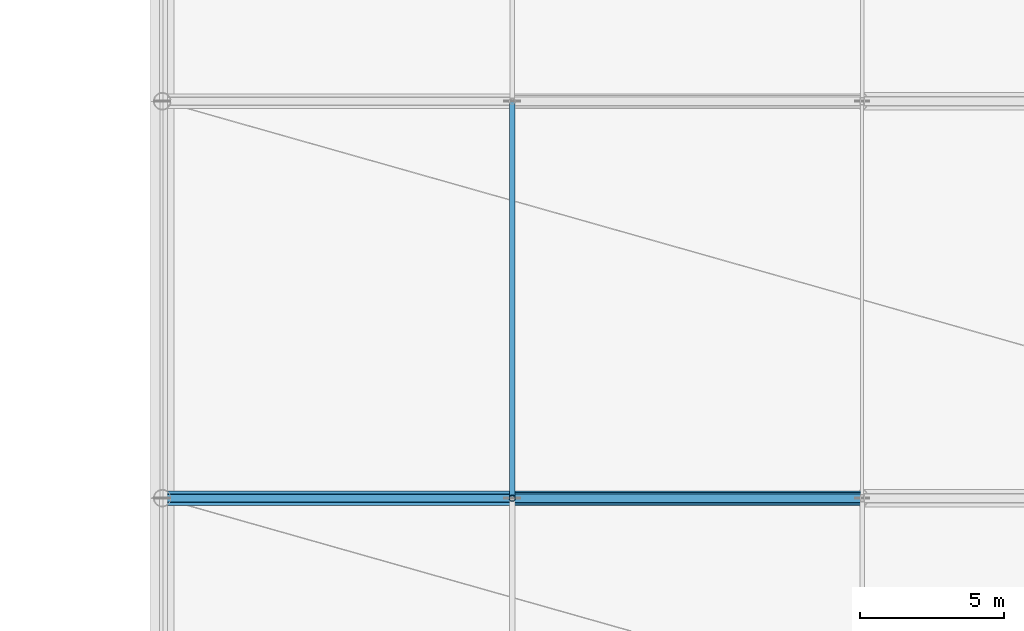
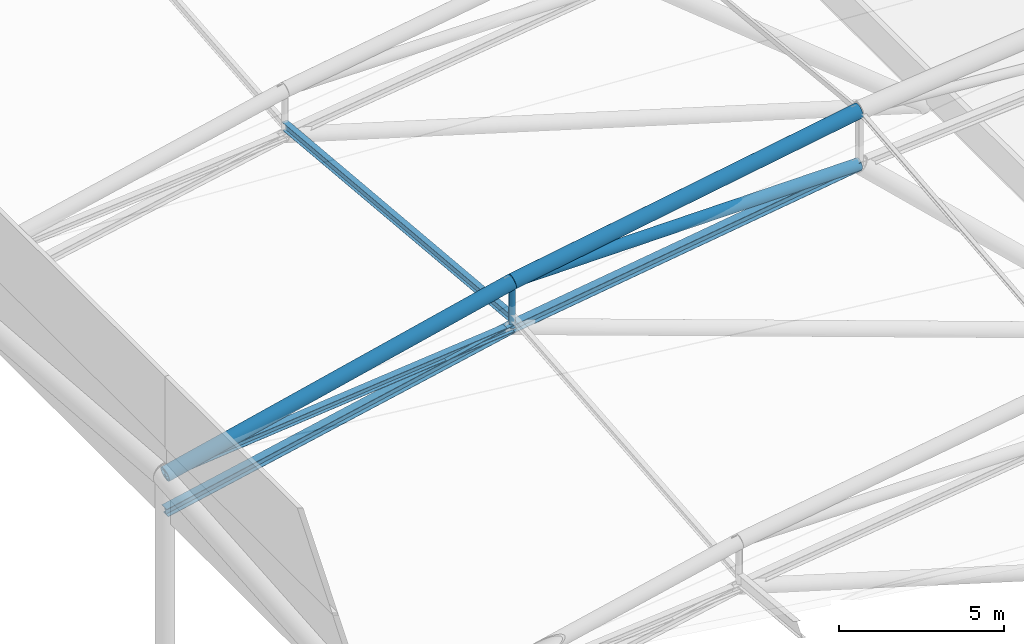
# One storey, part 41 of 113: 8 members.
"""IFC4 building model written with IfcOpenShell, lengths in metres."""

from ifc_helpers import new_model, si_unit, direction, frame, origin, origin_2d, place, context, subcontext, project, spatial, hollow_circle, i_section, extrude, material, material_profile, profile_set, type_object, element, save


model = new_model("IFC4")

# Units and contexts
model_context = context("Model", 3, precision=1e-05, world=origin(), true_north=direction((0.0, 1.0)))
body_context = subcontext(model_context, "Body", "Model", "MODEL_VIEW")
ifc_project = project(units=[si_unit("LENGTHUNIT", "METRE"), si_unit("AREAUNIT", "SQUARE_METRE"), si_unit("VOLUMEUNIT", "CUBIC_METRE"), si_unit("PLANEANGLEUNIT", "RADIAN"), si_unit("MASSUNIT", "GRAM", prefix="KILO")], contexts=[model_context])

# Site, building, storey
site_placement = place(None, origin())
site = spatial("IfcSite", under=ifc_project, at=site_placement, CompositionType="ELEMENT")
building_placement = place(site_placement, origin())
building = spatial("IfcBuilding", under=site, at=building_placement, Name="Linyun Crest Stadium", CompositionType="ELEMENT")
storey_placement = place(building_placement, frame((0.0, 0.0, 26.39990234375)))
storey = spatial("IfcBuildingStorey", under=building, at=storey_placement, Name="L06", CompositionType="ELEMENT", Elevation=26.39990234375)

# Members
ifc_material_1 = material(Name="Steel Q355B", Category="steel")
ifc_material_profile_1 = material_profile(ifc_material_1, i_section(OverallWidth=0.199951171875, OverallDepth=0.2939453125, WebThickness=0.008056640625, FlangeThickness=0.011962890625, at=origin_2d()), Name="HM 294x200")
ifc_profile_set_1 = profile_set([ifc_material_profile_1], Name="Steel Q355B")
member_type_1 = type_object("IfcMemberType", Name="PR06", PredefinedType="PURLIN", material=ifc_profile_set_1)
member_1_placement = place(storey_placement, frame((47.625, 2.125, 8.1201171875), z_axis=(0.0, 0.99587405243, -0.09074619384), x_axis=(-1.0, 0.0, 0.0)))
element("IfcMember", 1, at=member_1_placement, inside=storey, type_object=member_type_1, Name="Roof canopy purlin PR06 V2 350", PredefinedType="PURLIN", context=body_context, shape_type="SweptSolid", body=[
    extrude(i_section(OverallWidth=0.199951171875, OverallDepth=0.2939453125, WebThickness=0.008056640625, FlangeThickness=0.011962890625, at=origin_2d()), origin(), (0.0, 0.0, 1.0), 13.806884765625),
])
ifc_material_2 = material(Name="Steel Q420C", Category="steel")
ifc_material_profile_2 = material_profile(ifc_material_2, hollow_circle(Radius=0.25390625, WallThickness=0.02490234375, at=origin_2d()), Name="CHS 508x25")
ifc_profile_set_2 = profile_set([ifc_material_profile_2], Name="Steel Q420C")
member_type_2 = type_object("IfcMemberType", Name="TC01", PredefinedType="CHORD", material=ifc_profile_set_2)
member_2_placement = place(storey_placement, frame((59.75, 2.125, 11.502197265625), z_axis=(-0.985667924462, 0.0, -0.168697192291), x_axis=(0.0, -1.0, 0.0)))
element("IfcMember", 2, at=member_2_placement, inside=storey, type_object=member_type_2, Name="Roof truss top chord TC01 V2 266", PredefinedType="CHORD", context=body_context, shape_type="SweptSolid", body=[
    extrude(hollow_circle(Radius=0.25390625, WallThickness=0.02490234375, at=origin_2d()), origin(), (0.0, 0.0, 1.0), 12.30126953125),
])
member_3_placement = place(storey_placement, frame((47.625, 2.125, 9.427001953125), z_axis=(-0.973038645725, 0.0, -0.230642133889), x_axis=(0.0, -1.0, 0.0)))
element("IfcMember", 3, at=member_3_placement, inside=storey, type_object=member_type_2, Name="Roof truss top chord TC01 V2 270", PredefinedType="CHORD", context=body_context, shape_type="SweptSolid", body=[
    extrude(hollow_circle(Radius=0.25390625, WallThickness=0.02490234375, at=origin_2d()), origin(), (0.0, 0.0, 1.0), 12.4609375),
])
ifc_material_3 = material(Name="Steel Q355C", Category="steel")
ifc_material_profile_3 = material_profile(ifc_material_3, i_section(OverallWidth=0.300048828125, OverallDepth=0.300048828125, WebThickness=0.010009765625, FlangeThickness=0.014892578125, at=origin_2d()), Name="HW 300x300")
ifc_profile_set_3 = profile_set([ifc_material_profile_3], Name="Steel Q355C")
member_type_3 = type_object("IfcMemberType", Name="TC03", PredefinedType="CHORD", material=ifc_profile_set_3)
member_4_placement = place(storey_placement, frame((59.75, 2.125, 9.526123046875), z_axis=(-0.989594539625, 0.0, -0.143884144866), x_axis=(0.0, -1.0, 0.0)))
element("IfcMember", 4, at=member_4_placement, inside=storey, type_object=member_type_3, Name="Roof truss bottom chord TC03 V2 267", PredefinedType="CHORD", context=body_context, shape_type="SweptSolid", body=[
    extrude(i_section(OverallWidth=0.300048828125, OverallDepth=0.300048828125, WebThickness=0.010009765625, FlangeThickness=0.014892578125, at=origin_2d()), origin(), (0.0, 0.0, 1.0), 12.25244140625),
])
member_5_placement = place(storey_placement, frame((47.625, 2.125, 7.76318359375), z_axis=(-0.978396930503, 0.0, -0.206735208374), x_axis=(0.0, -1.0, 0.0)))
element("IfcMember", 5, at=member_5_placement, inside=storey, type_object=member_type_3, Name="Roof truss bottom chord TC03 V2 271", PredefinedType="CHORD", context=body_context, shape_type="SweptSolid", body=[
    extrude(i_section(OverallWidth=0.300048828125, OverallDepth=0.300048828125, WebThickness=0.010009765625, FlangeThickness=0.014892578125, at=origin_2d()), origin(), (0.0, 0.0, 1.0), 12.392822265625),
])
ifc_material_4 = material(Name="Steel Q420C", Category="steel")
ifc_material_profile_4 = material_profile(ifc_material_4, hollow_circle(Radius=0.202880859375, WallThickness=0.02001953125, at=origin_2d()), Name="CHS 406x20")
ifc_profile_set_4 = profile_set([ifc_material_profile_4], Name="Steel Q420C")
member_type_4 = type_object("IfcMemberType", Name="TD03", PredefinedType="BRACE", material=ifc_profile_set_4)
member_6_placement = place(storey_placement, frame((59.75, 2.125, 9.526123046875), z_axis=(-0.999966586889, 0.0, -0.008174662417), x_axis=(0.0, -1.0, 0.0)))
element("IfcMember", 6, at=member_6_placement, inside=storey, type_object=member_type_4, Name="Roof truss diagonal TD03 V2 268", PredefinedType="BRACE", context=body_context, shape_type="SweptSolid", body=[
    extrude(hollow_circle(Radius=0.202880859375, WallThickness=0.02001953125, at=origin_2d()), origin(), (0.0, 0.0, 1.0), 12.12548828125),
])
ifc_material_5 = material(Name="Steel Q355C", Category="steel")
ifc_material_profile_5 = material_profile(ifc_material_5, i_section(OverallWidth=0.25, OverallDepth=0.25, WebThickness=0.009033203125, FlangeThickness=0.013916015625, at=origin_2d()), Name="HW 250x250")
ifc_profile_set_5 = profile_set([ifc_material_profile_5], Name="Steel Q355C")
member_type_5 = type_object("IfcMemberType", Name="TD04", PredefinedType="BRACE", material=ifc_profile_set_5)
member_7_placement = place(storey_placement, frame((47.625, 2.125, 7.76318359375), z_axis=(-0.995055819877, 0.0, -0.099317245875), x_axis=(0.0, -1.0, 0.0)))
element("IfcMember", 7, at=member_7_placement, inside=storey, type_object=member_type_5, Name="Roof truss diagonal TD04 V2 272", PredefinedType="BRACE", context=body_context, shape_type="SweptSolid", body=[
    extrude(i_section(OverallWidth=0.25, OverallDepth=0.25, WebThickness=0.009033203125, FlangeThickness=0.013916015625, at=origin_2d()), origin(), (0.0, 0.0, 1.0), 12.185302734375),
])
ifc_material_6 = material(Name="Steel Q355C", Category="steel")
ifc_material_profile_6 = material_profile(ifc_material_6, hollow_circle(Radius=0.109619140625, WallThickness=0.011962890625, at=origin_2d()), Name="CHS 219x12")
ifc_profile_set_6 = profile_set([ifc_material_profile_6], Name="Steel Q355C")
member_type_6 = type_object("IfcMemberType", Name="TV01", PredefinedType="STRUT", material=ifc_profile_set_6)
member_8_placement = place(storey_placement, frame((47.625, 2.125, 7.76318359375), z_axis=(0.0, 0.0, 1.0), x_axis=(1.0, 0.0, 0.0)))
element("IfcMember", 8, at=member_8_placement, inside=storey, type_object=member_type_6, Name="Roof vertical strut TV01 V2 273", PredefinedType="STRUT", context=body_context, shape_type="SweptSolid", body=[
    extrude(hollow_circle(Radius=0.109619140625, WallThickness=0.011962890625, at=origin_2d()), origin(), (0.0, 0.0, 1.0), 1.663818359375),
])

save(model, "model.ifc")
